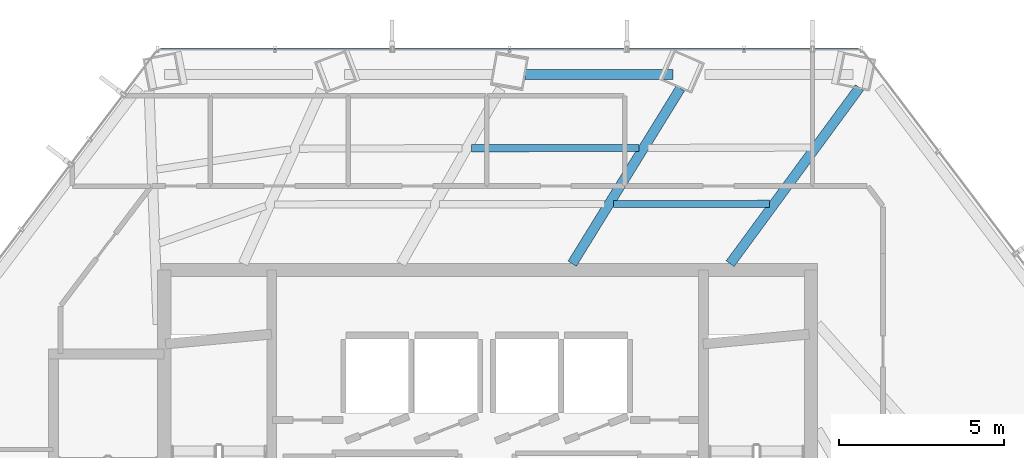
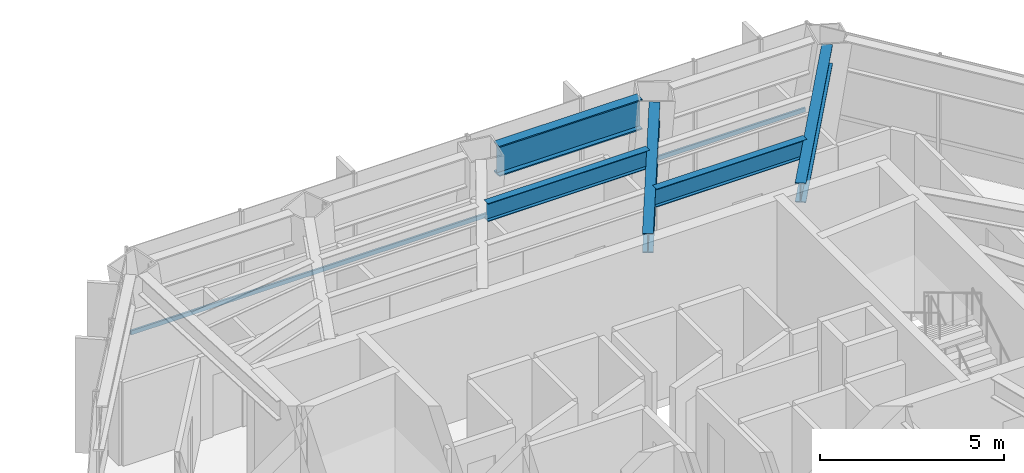
# One storey, part 15 of 26: 5 beams, 1 member, 1 element without a shape of its own.
"""IFC4 building model written with IfcOpenShell, lengths in metres."""

from ifc_helpers import new_model, si_unit, direction, frame, origin, origin_2d, place, context, subcontext, project, spatial, hollow_rectangle, i_section, extrude, material, layer, layer_set, material_profile, profile_set, type_object, element, aggregate, save


model = new_model("IFC4")

# Units and contexts
model_context = context("Model", 3, precision=1e-05, world=origin(), true_north=direction((0.0, 1.0)))
body_context = subcontext(model_context, "Body", "Model", "MODEL_VIEW")
ifc_project = project(units=[si_unit("LENGTHUNIT", "METRE"), si_unit("AREAUNIT", "SQUARE_METRE"), si_unit("VOLUMEUNIT", "CUBIC_METRE"), si_unit("PLANEANGLEUNIT", "RADIAN"), si_unit("MASSUNIT", "GRAM", prefix="KILO")], contexts=[model_context])

# Site, building, storey
site_placement = place(None, origin())
site = spatial("IfcSite", under=ifc_project, at=site_placement, CompositionType="ELEMENT")
building_placement = place(site_placement, origin())
building = spatial("IfcBuilding", under=site, at=building_placement, Name="Zarrinselat Tower", CompositionType="ELEMENT")
storey_placement = place(building_placement, frame((0.0, 0.0, 35.699951171875)))
storey = spatial("IfcBuildingStorey", under=building, at=storey_placement, Name="L08", CompositionType="ELEMENT", Elevation=35.699951171875)

# Beams
ifc_material_1 = material(Name="Steel S355J2", Category="steel")
ifc_material_profile_1 = material_profile(ifc_material_1, i_section(OverallWidth=0.300048828125, OverallDepth=0.64990234375, WebThickness=0.01611328125, FlangeThickness=0.031005859375, at=origin_2d()), Name="HEB 650")
ifc_profile_set_1 = profile_set([ifc_material_profile_1], Name="Steel S355J2")
beam_type_1 = type_object("IfcBeamType", Name="BM-HEB650", PredefinedType="BEAM", material=ifc_profile_set_1)
beam_1_placement = place(storey_placement, frame((45.800048828125, 43.639892578125, 3.4951171875), z_axis=(0.591948703852, 0.805975639835, 0.0), x_axis=(-0.805975639835, 0.591948703852, 0.0)))
element("IfcBeam", 1, at=beam_1_placement, inside=storey, type_object=beam_type_1, Name="L08 Radial Primary Girder RG01", PredefinedType="BEAM", context=body_context, shape_type="SweptSolid", body=[
    extrude(i_section(OverallWidth=0.300048828125, OverallDepth=0.64990234375, WebThickness=0.01611328125, FlangeThickness=0.031005859375, at=origin_2d()), origin(), (0.0, 0.0, 1.0), 6.6376953125),
])
beam_2_placement = place(storey_placement, frame((41.0, 43.639892578125, 3.4951171875), z_axis=(0.525050228917, 0.851071240916, 0.0), x_axis=(-0.851071240916, 0.525050228917, 0.0)))
element("IfcBeam", 2, at=beam_2_placement, inside=storey, type_object=beam_type_1, Name="L08 Radial Primary Girder RG02", PredefinedType="BEAM", context=body_context, shape_type="SweptSolid", body=[
    extrude(i_section(OverallWidth=0.300048828125, OverallDepth=0.64990234375, WebThickness=0.01611328125, FlangeThickness=0.031005859375, at=origin_2d()), origin(), (0.0, 0.0, 1.0), 6.259521484375),
])
ifc_material_2 = material(Name="Steel S460M", Category="steel")
ifc_material_profile_2 = material_profile(ifc_material_2, i_section(OverallWidth=0.302001953125, OverallDepth=1.008056640625, WebThickness=0.02099609375, FlangeThickness=0.0400390625, at=origin_2d()), Name="HEM 1000")
ifc_profile_set_2 = profile_set([ifc_material_profile_2], Name="Steel S460M")
beam_type_2 = type_object("IfcBeamType", Name="BM-HEM1000", PredefinedType="BEAM", material=ifc_profile_set_2)
beam_3_placement = place(storey_placement, frame((39.562255859375, 49.394287109375, 3.316162109375), z_axis=(1.0, 0.0, 0.0), x_axis=(0.0, 1.0, 0.0)))
element("IfcBeam", 3, at=beam_3_placement, inside=storey, type_object=beam_type_2, Name="L08 Perimeter Spandrel Girder SP02", PredefinedType="BEAM", context=body_context, shape_type="SweptSolid", body=[
    extrude(i_section(OverallWidth=0.302001953125, OverallDepth=1.008056640625, WebThickness=0.02099609375, FlangeThickness=0.0400390625, at=origin_2d()), origin(), (0.0, 0.0, 1.0), 4.5),
])
ifc_material_3 = material(Name="Steel S355J2", Category="steel")
ifc_material_profile_3 = material_profile(ifc_material_3, i_section(OverallWidth=0.219970703125, OverallDepth=0.60009765625, WebThickness=0.011962890625, FlangeThickness=0.01904296875, at=origin_2d()), Name="IPE 600")
ifc_profile_set_3 = profile_set([ifc_material_profile_3], Name="Steel S355J2")
beam_type_3 = type_object("IfcBeamType", Name="BM-IPE600", PredefinedType="JOIST", material=ifc_profile_set_3)
beam_4_placement = place(storey_placement, frame((42.257568359375, 45.451416015625, 3.52001953125), z_axis=(0.999998805324, 0.001545752481, 0.0), x_axis=(-0.001545752481, 0.999998805324, 0.0)))
element("IfcBeam", 4, at=beam_4_placement, inside=storey, type_object=beam_type_3, Name="L08 Composite Floor Joist 7-2", PredefinedType="JOIST", context=body_context, shape_type="SweptSolid", body=[
    extrude(i_section(OverallWidth=0.219970703125, OverallDepth=0.60009765625, WebThickness=0.011962890625, FlangeThickness=0.01904296875, at=origin_2d()), origin(), (0.0, 0.0, 1.0), 4.73828125),
])
beam_5_placement = place(storey_placement, frame((37.93701171875, 47.150146484375, 3.52001953125), z_axis=(0.999999392033, 0.001102693739, 0.0), x_axis=(-0.001102693739, 0.999999392033, 0.0)))
element("IfcBeam", 5, at=beam_5_placement, inside=storey, type_object=beam_type_3, Name="L08 Composite Floor Joist 8-1", PredefinedType="JOIST", context=body_context, shape_type="SweptSolid", body=[
    extrude(i_section(OverallWidth=0.219970703125, OverallDepth=0.60009765625, WebThickness=0.011962890625, FlangeThickness=0.01904296875, at=origin_2d()), origin(), (0.0, 0.0, 1.0), 5.09228515625),
])

# Curtain wall, member
ifc_material_4 = material(Name="Extruded Aluminium Alloy EN AW-6063 T6", Category="aluminium")
ifc_layer = layer(ifc_material_4, 0.18505859375)
ifc_layer_set = layer_set([ifc_layer], Name="Extruded Aluminium Alloy EN AW-6063 T6")
curtain_wall_type = type_object("IfcCurtainWallType", Name="CWS-OFF", PredefinedType="NOTDEFINED", material=ifc_layer_set)
curtain_wall_placement = place(storey_placement, origin())
curtain_wall = element("IfcCurtainWall", 6, at=curtain_wall_placement, inside=storey, type_object=curtain_wall_type, Name="L08 Unitised Curtain Wall CW-L08-E01", PredefinedType="NOTDEFINED")
ifc_material_5 = material(Name="Extruded Aluminium Alloy EN AW-6063 T6", Category="aluminium")
ifc_material_profile_4 = material_profile(ifc_material_5, hollow_rectangle(XDim=0.06005859375, YDim=0.139892578125, WallThickness=0.00390625, at=origin_2d()), Name="RHS 140x60x4")
ifc_profile_set_4 = profile_set([ifc_material_profile_4], Name="Extruded Aluminium Alloy EN AW-6063 T6")
member_type = type_object("IfcMemberType", Name="MEM-CW-TRN", PredefinedType="USERDEFINED", material=ifc_profile_set_4)
member_placement = place(storey_placement, frame((49.699462890625, 50.1611328125, 0.949951171875), z_axis=(-1.0, 0.0, 0.0), x_axis=(0.0, -1.0, 0.0)))
member = element("IfcMember", 7, at=member_placement, type_object=member_type, Name="CW-L08-E01 Transom 1", ObjectType="TRANSOM", PredefinedType="USERDEFINED", context=body_context, shape_type="SweptSolid", body=[
    extrude(hollow_rectangle(XDim=0.06005859375, YDim=0.139892578125, WallThickness=0.00390625, at=origin_2d()), origin(), (0.0, 0.0, 1.0), 21.2099609375),
])
aggregate(curtain_wall, [member])

save(model, "model.ifc")
